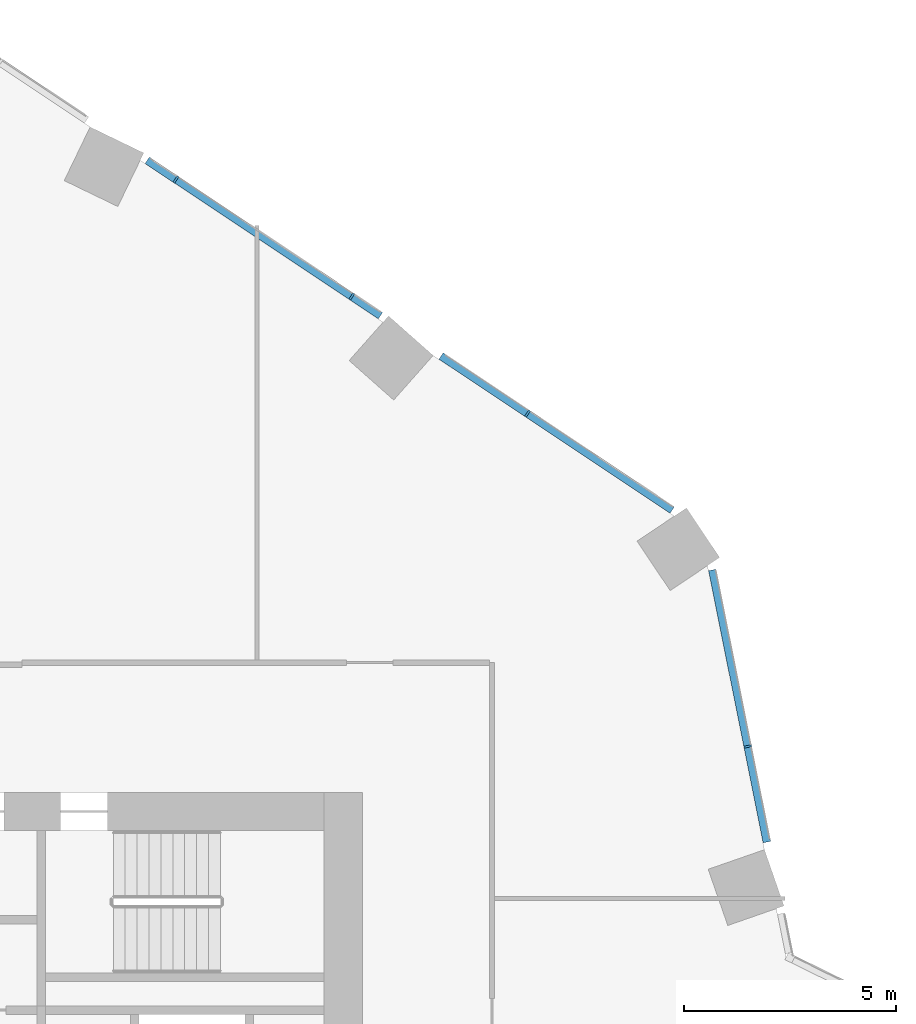
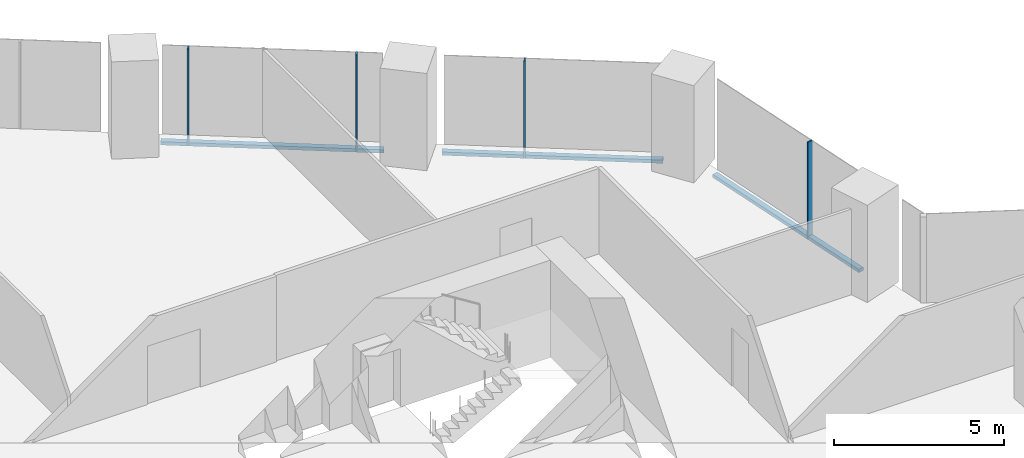
# One storey, part 15 of 38: 7 members, 2 elements without a shape of their own.
"""IFC4 building model written with IfcOpenShell, lengths in metres."""

from ifc_helpers import new_model, si_unit, direction, frame, origin, origin_2d, place, context, subcontext, project, spatial, rectangle, extrude, material, material_profile, profile_set, type_object, element, aggregate, save


model = new_model("IFC4")

# Units and contexts
model_context = context("Model", 3, precision=1e-05, world=origin(), true_north=direction((0.0, 1.0)))
body_context = subcontext(model_context, "Body", "Model", "MODEL_VIEW")
ifc_project = project(units=[si_unit("LENGTHUNIT", "METRE"), si_unit("AREAUNIT", "SQUARE_METRE"), si_unit("VOLUMEUNIT", "CUBIC_METRE"), si_unit("PLANEANGLEUNIT", "RADIAN"), si_unit("MASSUNIT", "GRAM", prefix="KILO")], contexts=[model_context])

# Site, building, storey
site_placement = place(None, origin())
site = spatial("IfcSite", under=ifc_project, at=site_placement, CompositionType="ELEMENT")
building_placement = place(site_placement, origin())
building = spatial("IfcBuilding", under=site, at=building_placement, Name="Orlundy Tower", CompositionType="ELEMENT")
storey_placement = place(building_placement, frame((0.0, 0.0, 65.800048828125)))
storey = spatial("IfcBuildingStorey", under=building, at=storey_placement, Name="L15", CompositionType="ELEMENT", Elevation=65.800048828125)

# Curtain wall, members
ifc_material_1 = material(Name="Aluminium bronze anodised", Category="aluminium")
curtain_wall_type = type_object("IfcCurtainWallType", Name="CW1 wall", PredefinedType="NOTDEFINED", material=ifc_material_1)
curtain_wall_1_placement = place(storey_placement, origin())
curtain_wall_1 = element("IfcCurtainWall", 1, at=curtain_wall_1_placement, inside=storey, type_object=curtain_wall_type, Name="CW1 run 016", PredefinedType="NOTDEFINED")
ifc_material_2 = material(Name="Aluminium bronze anodised", Category="aluminium")
ifc_material_profile_1 = material_profile(ifc_material_2, rectangle(XDim=0.179931640625, YDim=0.050048828125, at=origin_2d()), Name="CW1 mullion 50x180")
ifc_profile_set_1 = profile_set([ifc_material_profile_1], Name="Aluminium bronze anodised")
member_type_1 = type_object("IfcMemberType", Name="CW1 mullion 50x180", PredefinedType="MULLION", material=ifc_profile_set_1)
member_1_placement = place(storey_placement, frame((14.612548828125, 26.421142578125, -0.400146484375), z_axis=(0.0, 0.0, 1.0), x_axis=(0.554356579774, 0.832279269513, 0.0)))
member_1 = element("IfcMember", 2, at=member_1_placement, type_object=member_type_1, Name="CW1 mullion 46", PredefinedType="MULLION", context=body_context, shape_type="SweptSolid", body=[
    extrude(rectangle(XDim=0.179931640625, YDim=0.050048828125, at=origin_2d()), origin(), (0.0, 0.0, 1.0), 3.5),
])
member_2_placement = place(storey_placement, frame((18.749267578125, 23.665771484375, -0.400146484375), z_axis=(0.0, 0.0, 1.0), x_axis=(0.554356579774, 0.832279269513, 0.0)))
member_2 = element("IfcMember", 3, at=member_2_placement, type_object=member_type_1, Name="CW1 mullion 47", PredefinedType="MULLION", context=body_context, shape_type="SweptSolid", body=[
    extrude(rectangle(XDim=0.179931640625, YDim=0.050048828125, at=origin_2d()), origin(), (0.0, 0.0, 1.0), 3.5),
])
member_3_placement = place(storey_placement, frame((22.885986328125, 20.910400390625, -0.400146484375), z_axis=(0.0, 0.0, 1.0), x_axis=(0.554356579774, 0.832279269513, 0.0)))
member_3 = element("IfcMember", 4, at=member_3_placement, type_object=member_type_1, Name="CW1 mullion 48", PredefinedType="MULLION", context=body_context, shape_type="SweptSolid", body=[
    extrude(rectangle(XDim=0.179931640625, YDim=0.050048828125, at=origin_2d()), origin(), (0.0, 0.0, 1.0), 3.5),
])

# Curtain wall, member
curtain_wall_2_placement = place(storey_placement, origin())
curtain_wall_2 = element("IfcCurtainWall", 5, at=curtain_wall_2_placement, inside=storey, type_object=curtain_wall_type, Name="CW1 run 017", PredefinedType="NOTDEFINED")
member_4_placement = place(storey_placement, frame((28.067138671875, 13.07861328125, -0.400146484375), z_axis=(0.0, 0.0, 1.0), x_axis=(0.980497937474, 0.196529373401, 0.0)))
member_4 = element("IfcMember", 6, at=member_4_placement, type_object=member_type_1, Name="CW1 mullion 50", PredefinedType="MULLION", context=body_context, shape_type="SweptSolid", body=[
    extrude(rectangle(XDim=0.179931640625, YDim=0.050048828125, at=origin_2d()), origin(), (0.0, 0.0, 1.0), 3.5),
])

# Member
ifc_material_3 = material(Name="Aluminium bronze anodised", Category="aluminium")
ifc_material_profile_2 = material_profile(ifc_material_3, rectangle(XDim=0.179931640625, YDim=0.1201171875, at=origin_2d()), Name="CW1 transom 180x120")
ifc_profile_set_2 = profile_set([ifc_material_profile_2], Name="Aluminium bronze anodised")
member_type_2 = type_object("IfcMemberType", Name="CW1 transom 180x120", PredefinedType="USERDEFINED", material=ifc_profile_set_2)
member_5_placement = place(storey_placement, frame((13.9375, 26.87060546875, -0.340087890625), z_axis=(0.832295194407, -0.554332670304, 0.0), x_axis=(0.554332670304, 0.832295194407, 0.0)))
member_5 = element("IfcMember", 7, at=member_5_placement, type_object=member_type_2, Name="CW1 transom", ObjectType="TRANSOM", PredefinedType="USERDEFINED", context=body_context, shape_type="SweptSolid", body=[
    extrude(rectangle(XDim=0.179931640625, YDim=0.1201171875, at=origin_2d()), origin(), (0.0, 0.0, 1.0), 6.5927734375),
])

member_6_placement = place(storey_placement, frame((20.852783203125, 22.2646484375, -0.340087890625), z_axis=(0.832274498629, -0.55436374244, 0.0), x_axis=(0.55436374244, 0.832274498629, 0.0)))
member_6 = element("IfcMember", 8, at=member_6_placement, type_object=member_type_2, Name="CW1 transom", ObjectType="TRANSOM", PredefinedType="USERDEFINED", context=body_context, shape_type="SweptSolid", body=[
    extrude(rectangle(XDim=0.179931640625, YDim=0.1201171875, at=origin_2d()), origin(), (0.0, 0.0, 1.0), 6.531494140625),
])

aggregate(curtain_wall_1, [member_1, member_2, member_3, member_5, member_6])

member_7_placement = place(storey_placement, frame((27.23486328125, 17.2314453125, -0.340087890625), z_axis=(0.196533104282, -0.980497189655, 0.0), x_axis=(0.980497189655, 0.196533104282, 0.0)))
member_7 = element("IfcMember", 9, at=member_7_placement, type_object=member_type_2, Name="CW1 transom", ObjectType="TRANSOM", PredefinedType="USERDEFINED", context=body_context, shape_type="SweptSolid", body=[
    extrude(rectangle(XDim=0.179931640625, YDim=0.1201171875, at=origin_2d()), origin(), (0.0, 0.0, 1.0), 6.530517578125),
])

aggregate(curtain_wall_2, [member_4, member_7])

save(model, "model.ifc")
